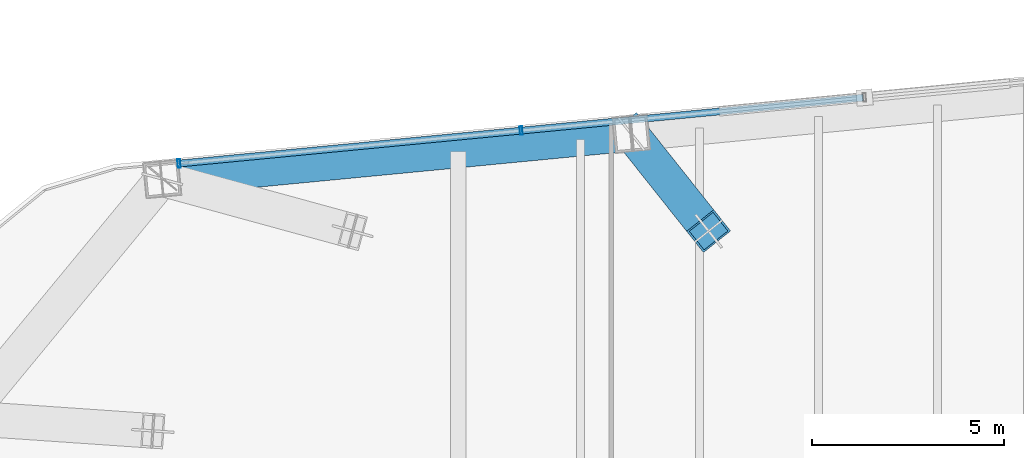
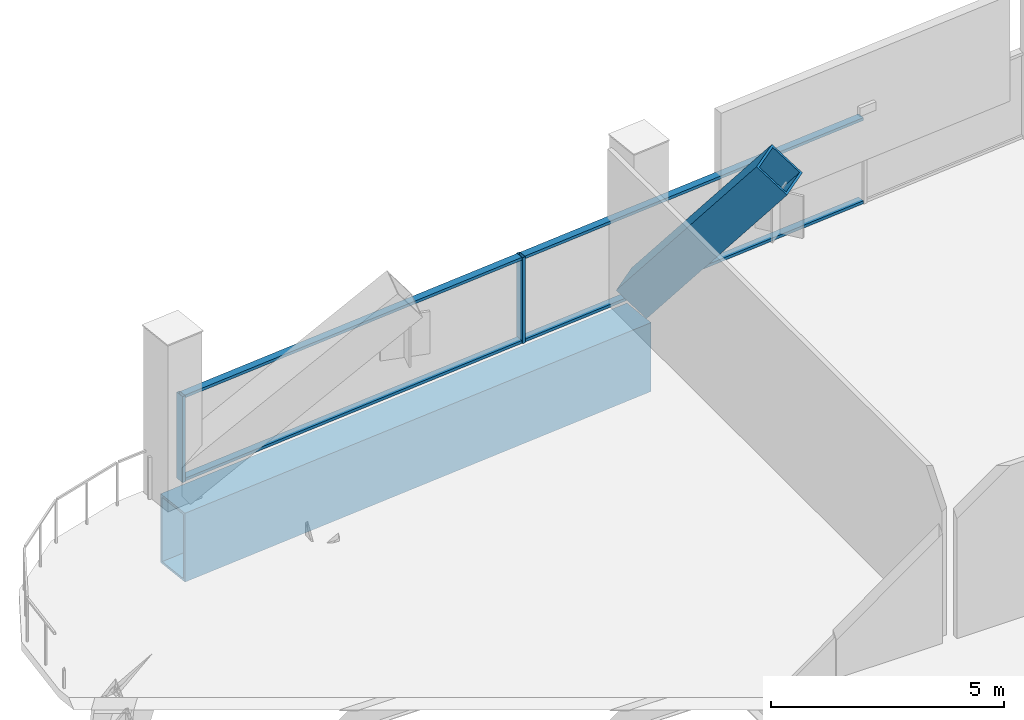
# One storey, part 16 of 30: 7 members, 1 beam, 1 element without a shape of its own.
"""IFC4 building model written with IfcOpenShell, lengths in metres."""

from ifc_helpers import new_model, si_unit, direction, frame, origin, origin_2d, place, context, subcontext, project, spatial, hollow_rectangle, extrude, material, layer, layer_set, material_profile, profile_set, type_object, element, aggregate, save


model = new_model("IFC4")

# Units and contexts
model_context = context("Model", 3, precision=1e-05, world=origin(), true_north=direction((0.0, 1.0)))
body_context = subcontext(model_context, "Body", "Model", "MODEL_VIEW")
ifc_project = project(units=[si_unit("LENGTHUNIT", "METRE"), si_unit("AREAUNIT", "SQUARE_METRE"), si_unit("VOLUMEUNIT", "CUBIC_METRE"), si_unit("PLANEANGLEUNIT", "RADIAN"), si_unit("MASSUNIT", "GRAM", prefix="KILO")], contexts=[model_context])

# Site, building, storey
site_placement = place(None, origin())
site = spatial("IfcSite", under=ifc_project, at=site_placement, CompositionType="ELEMENT")
building_placement = place(site_placement, origin())
building = spatial("IfcBuilding", under=site, at=building_placement, Name="Qhalaya Broadcast Tower", CompositionType="ELEMENT")
storey_placement = place(building_placement, frame((0.0, 0.0, 96.89990234375)))
storey = spatial("IfcBuildingStorey", under=building, at=storey_placement, Name="L28", CompositionType="ELEMENT", Elevation=96.89990234375)

# Beam
ifc_material_1 = material(Name="Structural Steel ASTM A572 Grade 50", Category="steel")
ifc_material_profile_1 = material_profile(ifc_material_1, hollow_rectangle(XDim=0.89990234375, YDim=1.800048828125, WallThickness=0.06005859375, at=origin_2d()), Name="BOX 900x1800x60")
ifc_profile_set_1 = profile_set([ifc_material_profile_1], Name="Structural Steel ASTM A572 Grade 50")
beam_type = type_object("IfcBeamType", Name="Block Cantilever Transfer Box Girder TG1", PredefinedType="USERDEFINED", material=ifc_profile_set_1)
beam_placement = place(storey_placement, frame((-4.875, 26.941162109375, -1.119873046875), z_axis=(-0.99539563662, -0.095851586307, 0.0), x_axis=(0.095851586307, -0.99539563662, 0.0)))
element("IfcBeam", 1, at=beam_placement, inside=storey, type_object=beam_type, Name="L28 TG1 L28-SPR-11", ObjectType="GIRDER", PredefinedType="USERDEFINED", context=body_context, shape_type="SweptSolid", body=[
    extrude(hollow_rectangle(XDim=0.89990234375, YDim=1.800048828125, WallThickness=0.06005859375, at=origin_2d()), origin(), (0.0, 0.0, 1.0), 12.2666015625),
])

# Member
ifc_material_profile_2 = material_profile(ifc_material_1, hollow_rectangle(XDim=0.89990234375, YDim=0.89990234375, WallThickness=0.054931640625, at=origin_2d()), Name="BOX 900x900x55")
ifc_profile_set_2 = profile_set([ifc_material_profile_2], Name="Structural Steel ASTM A572 Grade 50")
member_type_1 = type_object("IfcMemberType", Name="Heavy Exoskeleton Transfer Strut RK1", PredefinedType="BRACE", material=ifc_profile_set_2)
member_1_placement = place(storey_placement, frame((-4.875, 26.941162109375, 0.290283203125), z_axis=(0.387612731398, -0.487714660089, 0.782234479419), x_axis=(0.782868521069, 0.62218717338, 0.0)))
element("IfcMember", 2, at=member_1_placement, inside=storey, type_object=member_type_1, Name="L28 Inclined Exoskeleton Transfer Strut 11", PredefinedType="BRACE", context=body_context, shape_type="SweptSolid", body=[
    extrude(hollow_rectangle(XDim=0.89990234375, YDim=0.89990234375, WallThickness=0.054931640625, at=origin_2d()), origin(), (0.0, 0.0, 1.0), 5.18994140625),
])

# Curtain wall, members
ifc_material_2 = material(Name="Fired Architectural Terracotta", Category="masonry")
ifc_layer = layer(ifc_material_2, 0.219970703125, Name="Fired Architectural Terracotta")
ifc_layer_set = layer_set([ifc_layer], Name="Fired Architectural Terracotta")
curtain_wall_type = type_object("IfcCurtainWallType", Name="Block-Cap Unitised Terracotta Spandrel Wall CW-07", PredefinedType="NOTDEFINED", material=ifc_layer_set)
curtain_wall_placement = place(storey_placement, origin())
curtain_wall = element("IfcCurtainWall", 3, at=curtain_wall_placement, inside=storey, type_object=curtain_wall_type, Name="L28 Unitised Curtain Wall L28-CW-N", PredefinedType="NOTDEFINED")
ifc_material_3 = material(Name="Anodised Aluminium 6063-T6", Category="aluminium")
ifc_material_profile_3 = material_profile(ifc_material_3, hollow_rectangle(XDim=0.074951171875, YDim=0.219970703125, WallThickness=0.00390625, at=origin_2d()), Name="ALU-MUL 75x220x4")
ifc_profile_set_3 = profile_set([ifc_material_profile_3], Name="Anodised Aluminium 6063-T6")
member_type_2 = type_object("IfcMemberType", Name="Unitised Curtain-Wall Mullion M01", PredefinedType="MULLION", material=ifc_profile_set_3)
member_2_placement = place(storey_placement, frame((-16.646484375, 26.16943359375, 0.0), z_axis=(0.0, 0.0, 1.0), x_axis=(0.995396096278, 0.095846812756, 0.0)))
member_2 = element("IfcMember", 4, at=member_2_placement, type_object=member_type_2, Name="CW-07 mullion 1", PredefinedType="MULLION", context=body_context, shape_type="SweptSolid", body=[
    extrude(hollow_rectangle(XDim=0.074951171875, YDim=0.219970703125, WallThickness=0.00390625, at=origin_2d()), origin(), (0.0, 0.0, 1.0), 2.25),
])
member_3_placement = place(storey_placement, frame((-7.744140625, 27.026611328125, 0.0), z_axis=(0.0, 0.0, 1.0), x_axis=(0.995396096278, 0.095846812756, 0.0)))
member_3 = element("IfcMember", 5, at=member_3_placement, type_object=member_type_2, Name="CW-07 mullion 2", PredefinedType="MULLION", context=body_context, shape_type="SweptSolid", body=[
    extrude(hollow_rectangle(XDim=0.074951171875, YDim=0.219970703125, WallThickness=0.00390625, at=origin_2d()), origin(), (0.0, 0.0, 1.0), 2.25),
])
ifc_material_profile_4 = material_profile(ifc_material_3, hollow_rectangle(XDim=0.074951171875, YDim=0.179931640625, WallThickness=0.00390625, at=origin_2d()), Name="ALU-TRN 75x180x4")
ifc_profile_set_4 = profile_set([ifc_material_profile_4], Name="Anodised Aluminium 6063-T6")
member_type_3 = type_object("IfcMemberType", Name="Unitised Curtain-Wall Transom T01", PredefinedType="USERDEFINED", material=ifc_profile_set_4)
member_4_placement = place(storey_placement, frame((-16.609130859375, 26.173095703125, 0.03759765625), z_axis=(0.995397825029, 0.095828857485, 0.0), x_axis=(0.0, 0.0, 1.0)))
member_4 = element("IfcMember", 6, at=member_4_placement, type_object=member_type_3, Name="CW-07 transom 1.1", ObjectType="TRANSOM", PredefinedType="USERDEFINED", context=body_context, shape_type="SweptSolid", body=[
    extrude(hollow_rectangle(XDim=0.074951171875, YDim=0.179931640625, WallThickness=0.00390625, at=origin_2d()), origin(), (0.0, 0.0, 1.0), 8.868408203125),
])
member_5_placement = place(storey_placement, frame((-16.609130859375, 26.173095703125, 2.212646484375), z_axis=(0.995397825029, 0.095828857485, 0.0), x_axis=(0.0, 0.0, 1.0)))
member_5 = element("IfcMember", 7, at=member_5_placement, type_object=member_type_3, Name="CW-07 transom 1.2", ObjectType="TRANSOM", PredefinedType="USERDEFINED", context=body_context, shape_type="SweptSolid", body=[
    extrude(hollow_rectangle(XDim=0.074951171875, YDim=0.179931640625, WallThickness=0.00390625, at=origin_2d()), origin(), (0.0, 0.0, 1.0), 8.868408203125),
])
member_6_placement = place(storey_placement, frame((-7.706787109375, 27.0302734375, 0.03759765625), z_axis=(0.995397117949, 0.095836201822, 0.0), x_axis=(0.0, 0.0, 1.0)))
member_6 = element("IfcMember", 8, at=member_6_placement, type_object=member_type_3, Name="CW-07 transom 2.1", ObjectType="TRANSOM", PredefinedType="USERDEFINED", context=body_context, shape_type="SweptSolid", body=[
    extrude(hollow_rectangle(XDim=0.074951171875, YDim=0.179931640625, WallThickness=0.00390625, at=origin_2d()), origin(), (0.0, 0.0, 1.0), 8.906005859375),
])
member_7_placement = place(storey_placement, frame((-7.706787109375, 27.0302734375, 2.212646484375), z_axis=(0.995397117949, 0.095836201822, 0.0), x_axis=(0.0, 0.0, 1.0)))
member_7 = element("IfcMember", 9, at=member_7_placement, type_object=member_type_3, Name="CW-07 transom 2.2", ObjectType="TRANSOM", PredefinedType="USERDEFINED", context=body_context, shape_type="SweptSolid", body=[
    extrude(hollow_rectangle(XDim=0.074951171875, YDim=0.179931640625, WallThickness=0.00390625, at=origin_2d()), origin(), (0.0, 0.0, 1.0), 8.906005859375),
])
aggregate(curtain_wall, [member_2, member_3, member_4, member_5, member_6, member_7])

save(model, "model.ifc")
